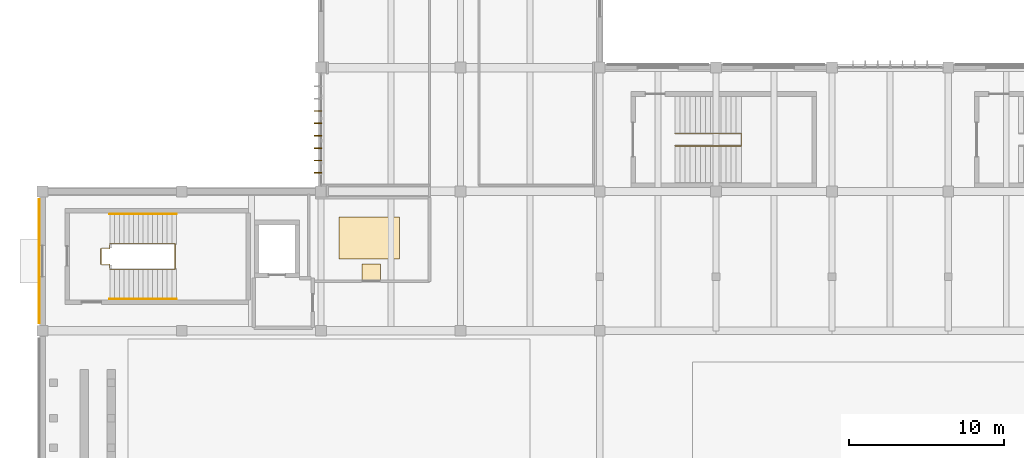
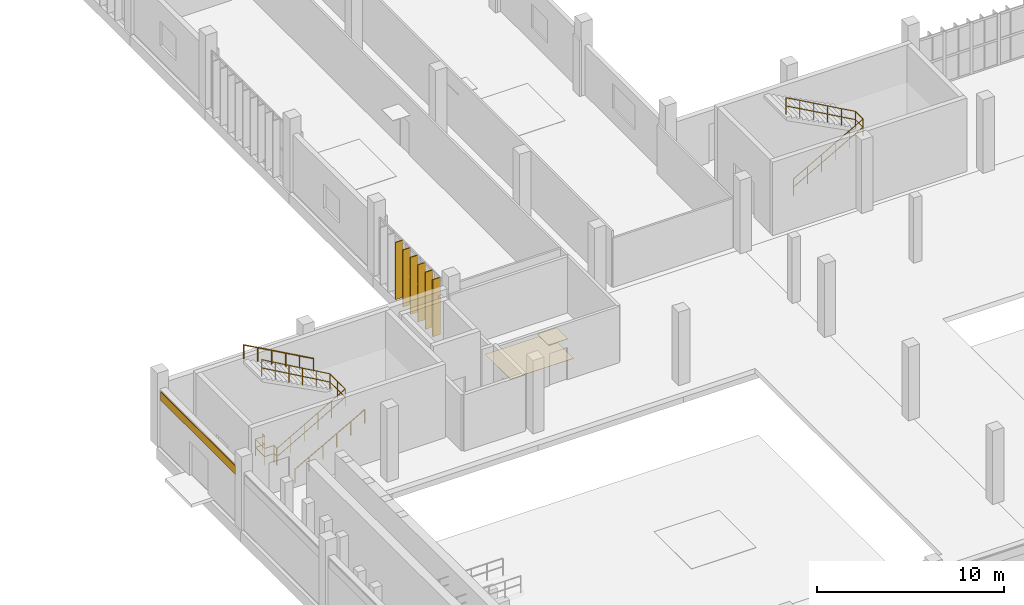
# One storey, part 61 of 72: 6 shading devices, 5 railings, 3 coverings.
"""IFC4 building model written with IfcOpenShell, lengths in metres."""

from ifc_helpers import new_model, si_unit, direction, frame, origin, origin_2d, place, context, subcontext, project, spatial, rectangle, circle, extrude, material, layer, layer_set, material_profile, profile_set, type_object, element, save


model = new_model("IFC4")

# Units and contexts
model_context = context("Model", 3, precision=1e-05, world=origin(), true_north=direction((0.0, 1.0)))
body_context = subcontext(model_context, "Body", "Model", "MODEL_VIEW")
ifc_project = project(units=[si_unit("LENGTHUNIT", "METRE"), si_unit("AREAUNIT", "SQUARE_METRE"), si_unit("VOLUMEUNIT", "CUBIC_METRE"), si_unit("PLANEANGLEUNIT", "RADIAN"), si_unit("MASSUNIT", "GRAM", prefix="KILO")], contexts=[model_context])

# Site, building, storey
site_placement = place(None, origin())
site = spatial("IfcSite", under=ifc_project, at=site_placement, CompositionType="ELEMENT")
building_placement = place(site_placement, origin())
building = spatial("IfcBuilding", under=site, at=building_placement, Name="Vourika Railside Aquatics Centre", CompositionType="ELEMENT")
storey_placement = place(building_placement, origin())
storey = spatial("IfcBuildingStorey", under=building, at=storey_placement, Name="L00", CompositionType="ELEMENT", Elevation=0.0)

# Coverings
ifc_material_1 = material(Name="Perforated moisture-resistant acoustic gypsum ceiling")
ifc_layer_1 = layer(ifc_material_1, 0.02490234375, Name="COV-CEIL-25")
ifc_layer_set_1 = layer_set([ifc_layer_1], Name="Perforated moisture-resistant acoustic gypsum ceiling")
covering_type_1 = type_object("IfcCoveringType", Name="COV-CEIL-25", PredefinedType="CEILING", material=ifc_layer_set_1)
covering_1_placement = place(storey_placement, frame((21.22509765625, 52.719970703125, 2.637451171875), z_axis=(0.0, 0.0, 1.0), x_axis=(1.0, 0.0, 0.0)))
element("IfcCovering", 1, at=covering_1_placement, inside=storey, type_object=covering_type_1, Name="Divers Warm-Up Spa and Poolside Medical Room Acoustic Ceiling Panel", PredefinedType="CEILING", context=body_context, shape_type="SweptSolid", body=[
    extrude(rectangle(XDim=1.199951171875, YDim=1.199951171875, at=origin_2d()), origin(), (0.0, 0.0, 1.0), 0.02490234375),
])
ifc_material_2 = material(Name="Bronze-anodized aluminium rainscreen", Category="aluminium")
ifc_layer_2 = layer(ifc_material_2, 0.044921875, Name="COV-CLAD-45")
ifc_layer_set_2 = layer_set([ifc_layer_2], Name="Bronze-anodized aluminium rainscreen")
covering_type_2 = type_object("IfcCoveringType", Name="COV-CLAD-45", PredefinedType="CLADDING", material=ifc_layer_set_2)
covering_2_placement = place(storey_placement, frame((-0.2099609375, 53.5, 3.10498046875), z_axis=(0.0, 0.0, 1.0), x_axis=(0.0, -1.0, 0.0)))
element("IfcCovering", 2, at=covering_2_placement, inside=storey, type_object=covering_type_2, Name="Perforated Bronze Rainscreen Band CL-012", PredefinedType="CLADDING", context=body_context, shape_type="SweptSolid", body=[
    extrude(rectangle(XDim=8.0, YDim=0.044921875, at=origin_2d()), origin(), (0.0, 0.0, 1.0), 0.550048828125),
])
ifc_material_3 = material(Name="Slip-resistant aqua ceramic sports flooring")
ifc_layer_3 = layer(ifc_material_3, 0.02001953125, Name="COV-FLOR-20")
ifc_layer_set_3 = layer_set([ifc_layer_3], Name="Slip-resistant aqua ceramic sports flooring")
covering_type_3 = type_object("IfcCoveringType", Name="COV-FLOR-20", PredefinedType="FLOORING", material=ifc_layer_set_3)
covering_3_placement = place(storey_placement, frame((21.10009765625, 55.0, 0.0), z_axis=(0.0, 0.0, 1.0), x_axis=(1.0, 0.0, 0.0)))
element("IfcCovering", 3, at=covering_3_placement, inside=storey, type_object=covering_type_3, Name="Divers Warm-Up Spa and Poolside Medical Room Sports Flooring Panel", PredefinedType="FLOORING", context=body_context, shape_type="SweptSolid", body=[
    extrude(rectangle(XDim=3.89990234375, YDim=2.699951171875, at=origin_2d()), origin(), (0.0, 0.0, 1.0), 0.02001953125),
])

# Railings
ifc_material_4 = material(Name="Duplex stainless steel EN 1.4462", Category="steel")
railing_type_1 = type_object("IfcRailingType", Name="RL-HAND-920", PredefinedType="HANDRAIL", material=ifc_material_4)
railing_1_placement = place(storey_placement, frame((4.35009765625, 51.06005859375, 0.0)))
element("IfcRailing", 4, at=railing_1_placement, inside=storey, type_object=railing_type_1, Name="Protected Exit Stair Core ST04 Lower Wall Handrail (L00)", PredefinedType="HANDRAIL", context=body_context, shape_type="SweptSolid", body=[
    extrude(circle(Radius=0.02392578125, at=origin_2d()), frame((0.0, 0.0, 0.89599609375), z_axis=(0.873783640258, 0.0, 0.486314867157), x_axis=(0.0, 1.0, 0.0)), (0.0, 0.0, 1.0), 4.934814453125),
    extrude(circle(Radius=0.02099609375, at=origin_2d()), origin(), (0.0, 0.0, 1.0), 0.871826171875),
    extrude(circle(Radius=0.02099609375, at=origin_2d()), frame((0.8623046875, 0.0, 0.47998046875)), (0.0, 0.0, 1.0), 0.871826171875),
    extrude(circle(Radius=0.02099609375, at=origin_2d()), frame((1.724853515625, 0.0, 0.9599609375)), (0.0, 0.0, 1.0), 0.871826171875),
    extrude(circle(Radius=0.02099609375, at=origin_2d()), frame((2.587158203125, 0.0, 1.43994140625)), (0.0, 0.0, 1.0), 0.871826171875),
    extrude(circle(Radius=0.02099609375, at=origin_2d()), frame((3.44970703125, 0.0, 1.919921875)), (0.0, 0.0, 1.0), 0.871826171875),
    extrude(circle(Radius=0.02099609375, at=origin_2d()), frame((4.31201171875, 0.0, 2.39990234375)), (0.0, 0.0, 1.0), 0.871826171875),
])
railing_2_placement = place(storey_placement, frame((8.662109375, 56.5400390625, 2.39990234375)))
element("IfcRailing", 5, at=railing_2_placement, inside=storey, type_object=railing_type_1, Name="Protected Exit Stair Core ST04 Upper Wall Handrail (L00)", PredefinedType="HANDRAIL", context=body_context, shape_type="SweptSolid", body=[
    extrude(circle(Radius=0.02392578125, at=origin_2d()), frame((0.0, 0.0, 0.89599609375), z_axis=(-0.873762617393, 0.0, 0.486352637956), x_axis=(0.0, -1.0, 0.0)), (0.0, 0.0, 1.0), 4.93505859375),
    extrude(circle(Radius=0.02099609375, at=origin_2d()), origin(), (0.0, 0.0, 1.0), 0.871826171875),
    extrude(circle(Radius=0.02099609375, at=origin_2d()), frame((-0.8623046875, 0.0, 0.47998046875)), (0.0, 0.0, 1.0), 0.871826171875),
    extrude(circle(Radius=0.02099609375, at=origin_2d()), frame((-1.724853515625, 0.0, 0.9599609375)), (0.0, 0.0, 1.0), 0.871826171875),
    extrude(circle(Radius=0.02099609375, at=origin_2d()), frame((-2.587158203125, 0.0, 1.440185546875)), (0.0, 0.0, 1.0), 0.871826171875),
    extrude(circle(Radius=0.02099609375, at=origin_2d()), frame((-3.44970703125, 0.0, 1.920166015625)), (0.0, 0.0, 1.0), 0.871826171875),
    extrude(circle(Radius=0.02099609375, at=origin_2d()), frame((-4.31201171875, 0.0, 2.400146484375)), (0.0, 0.0, 1.0), 0.871826171875),
])
railing_type_2 = type_object("IfcRailingType", Name="RL-STAIR-1120", PredefinedType="BALUSTRADE", material=ifc_material_4)
railing_3_placement = place(storey_placement, frame((4.35009765625, 53.050048828125, 0.0)))
element("IfcRailing", 6, at=railing_3_placement, inside=storey, type_object=railing_type_2, Name="Protected Exit Stair Core ST04 Well Edge Guard (L00)", PredefinedType="BALUSTRADE", context=body_context, shape_type="SweptSolid", body=[
    extrude(circle(Radius=0.02392578125, at=origin_2d()), frame((0.0, 0.0, 1.09619140625), z_axis=(0.0, 1.0, 0.0), x_axis=(-1.0, 0.0, 0.0)), (0.0, 0.0, 1.0), 0.25),
    extrude(circle(Radius=0.02392578125, at=origin_2d()), frame((0.0, 0.0, 0.56005859375), z_axis=(0.0, 1.0, 0.0), x_axis=(-1.0, 0.0, 0.0)), (0.0, 0.0, 1.0), 0.25),
    extrude(circle(Radius=0.02392578125, at=origin_2d()), frame((0.0, 0.25, 1.09619140625), z_axis=(-1.0, 0.0, 0.0), x_axis=(0.0, -1.0, 0.0)), (0.0, 0.0, 1.0), 0.570068359375),
    extrude(circle(Radius=0.02392578125, at=origin_2d()), frame((0.0, 0.25, 0.56005859375), z_axis=(-1.0, 0.0, 0.0), x_axis=(0.0, -1.0, 0.0)), (0.0, 0.0, 1.0), 0.570068359375),
    extrude(circle(Radius=0.02392578125, at=origin_2d()), frame((-0.570068359375, 0.25, 1.09619140625), z_axis=(0.0, 1.0, 0.0), x_axis=(-1.0, 0.0, 0.0)), (0.0, 0.0, 1.0), 1.0),
    extrude(circle(Radius=0.02392578125, at=origin_2d()), frame((-0.570068359375, 0.25, 0.56005859375), z_axis=(0.0, 1.0, 0.0), x_axis=(-1.0, 0.0, 0.0)), (0.0, 0.0, 1.0), 1.0),
    extrude(circle(Radius=0.02392578125, at=origin_2d()), frame((-0.570068359375, 1.25, 1.09619140625), z_axis=(1.0, 0.0, 0.0), x_axis=(0.0, 1.0, 0.0)), (0.0, 0.0, 1.0), 0.570068359375),
    extrude(circle(Radius=0.02392578125, at=origin_2d()), frame((-0.570068359375, 1.25, 0.56005859375), z_axis=(1.0, 0.0, 0.0), x_axis=(0.0, 1.0, 0.0)), (0.0, 0.0, 1.0), 0.570068359375),
    extrude(circle(Radius=0.02392578125, at=origin_2d()), frame((0.0, 1.25, 1.09619140625), z_axis=(0.0, 1.0, 0.0), x_axis=(-1.0, 0.0, 0.0)), (0.0, 0.0, 1.0), 0.25),
    extrude(circle(Radius=0.02392578125, at=origin_2d()), frame((0.0, 1.25, 0.56005859375), z_axis=(0.0, 1.0, 0.0), x_axis=(-1.0, 0.0, 0.0)), (0.0, 0.0, 1.0), 0.25),
    extrude(circle(Radius=0.02099609375, at=origin_2d()), origin(), (0.0, 0.0, 1.0), 1.072021484375),
    extrude(circle(Radius=0.02099609375, at=origin_2d()), frame((0.0, 0.25, 0.0)), (0.0, 0.0, 1.0), 1.072021484375),
    extrude(circle(Radius=0.02099609375, at=origin_2d()), frame((-0.570068359375, 0.25, 0.0)), (0.0, 0.0, 1.0), 1.072021484375),
    extrude(circle(Radius=0.02099609375, at=origin_2d()), frame((-0.570068359375, 1.25, 0.0)), (0.0, 0.0, 1.0), 1.072021484375),
    extrude(circle(Radius=0.02099609375, at=origin_2d()), frame((0.0, 1.25, 0.0)), (0.0, 0.0, 1.0), 1.072021484375),
    extrude(circle(Radius=0.02099609375, at=origin_2d()), frame((0.0, 1.5, 0.0)), (0.0, 0.0, 1.0), 1.072021484375),
])
railing_4_placement = place(storey_placement, frame((4.35009765625, 52.97998046875, 0.0)))
element("IfcRailing", 7, at=railing_4_placement, inside=storey, type_object=railing_type_2, Name="Protected Exit Stair Core ST04 Center Well Guard (L00)", PredefinedType="BALUSTRADE", context=body_context, shape_type="SweptSolid", body=[
    extrude(circle(Radius=0.02392578125, at=origin_2d()), frame((0.0, 0.0, 1.09619140625), z_axis=(0.868856127307, 0.0, 0.495064672584), x_axis=(0.0, 1.0, 0.0)), (0.0, 0.0, 1.0), 4.84765625),
    extrude(circle(Radius=0.02392578125, at=origin_2d()), frame((0.0, 0.0, 0.56005859375), z_axis=(0.868856127307, 0.0, 0.495064672584), x_axis=(0.0, 1.0, 0.0)), (0.0, 0.0, 1.0), 4.84765625),
    extrude(circle(Radius=0.02392578125, at=origin_2d()), frame((4.2119140625, 0.0, 3.49609375), z_axis=(0.0, 1.0, 0.0), x_axis=(-1.0, 0.0, 0.0)), (0.0, 0.0, 1.0), 1.64013671875),
    extrude(circle(Radius=0.02392578125, at=origin_2d()), frame((4.2119140625, 0.0, 2.9599609375), z_axis=(0.0, 1.0, 0.0), x_axis=(-1.0, 0.0, 0.0)), (0.0, 0.0, 1.0), 1.64013671875),
    extrude(circle(Radius=0.02392578125, at=origin_2d()), frame((4.2119140625, 1.64013671875, 3.49609375), z_axis=(-0.868834464034, 0.0, 0.495102690466), x_axis=(0.0, -1.0, 0.0)), (0.0, 0.0, 1.0), 4.84765625),
    extrude(circle(Radius=0.02392578125, at=origin_2d()), frame((4.2119140625, 1.64013671875, 2.9599609375), z_axis=(-0.868834464034, 0.0, 0.495102690466), x_axis=(0.0, -1.0, 0.0)), (0.0, 0.0, 1.0), 4.84765625),
    extrude(circle(Radius=0.02099609375, at=origin_2d()), origin(), (0.0, 0.0, 1.0), 1.072021484375),
    extrude(circle(Radius=0.02099609375, at=origin_2d()), frame((0.84228515625, 0.0, 0.47998046875)), (0.0, 0.0, 1.0), 1.072021484375),
    extrude(circle(Radius=0.02099609375, at=origin_2d()), frame((1.684814453125, 0.0, 0.9599609375)), (0.0, 0.0, 1.0), 1.072021484375),
    extrude(circle(Radius=0.02099609375, at=origin_2d()), frame((2.527099609375, 0.0, 1.43994140625)), (0.0, 0.0, 1.0), 1.072021484375),
    extrude(circle(Radius=0.02099609375, at=origin_2d()), frame((3.36962890625, 0.0, 1.919921875)), (0.0, 0.0, 1.0), 1.072021484375),
    extrude(circle(Radius=0.02099609375, at=origin_2d()), frame((4.2119140625, 0.0, 2.39990234375)), (0.0, 0.0, 1.0), 1.072021484375),
    extrude(circle(Radius=0.02099609375, at=origin_2d()), frame((4.2119140625, 0.820068359375, 2.39990234375)), (0.0, 0.0, 1.0), 1.072021484375),
    extrude(circle(Radius=0.02099609375, at=origin_2d()), frame((4.2119140625, 1.64013671875, 2.39990234375)), (0.0, 0.0, 1.0), 1.072021484375),
    extrude(circle(Radius=0.02099609375, at=origin_2d()), frame((3.36962890625, 1.64013671875, 2.8798828125)), (0.0, 0.0, 1.0), 1.072021484375),
    extrude(circle(Radius=0.02099609375, at=origin_2d()), frame((2.527099609375, 1.64013671875, 3.35986328125)), (0.0, 0.0, 1.0), 1.072021484375),
    extrude(circle(Radius=0.02099609375, at=origin_2d()), frame((1.684814453125, 1.64013671875, 3.840087890625)), (0.0, 0.0, 1.0), 1.072021484375),
    extrude(circle(Radius=0.02099609375, at=origin_2d()), frame((0.84228515625, 1.64013671875, 4.320068359375)), (0.0, 0.0, 1.0), 1.072021484375),
    extrude(circle(Radius=0.02099609375, at=origin_2d()), frame((0.0, 1.64013671875, 4.800048828125)), (0.0, 0.0, 1.0), 1.072021484375),
])
railing_5_placement = place(storey_placement, frame((40.85009765625, 60.93994140625, 0.0)))
element("IfcRailing", 8, at=railing_5_placement, inside=storey, type_object=railing_type_2, Name="Grandstand Vomitory Exit Stair ST07 Center Well Guard (L00)", PredefinedType="BALUSTRADE", context=body_context, shape_type="SweptSolid", body=[
    extrude(circle(Radius=0.02392578125, at=origin_2d()), frame((0.0, 0.0, 1.09619140625), z_axis=(0.872712594599, 0.0, 0.488234295425), x_axis=(0.0, 1.0, 0.0)), (0.0, 0.0, 1.0), 4.91552734375),
    extrude(circle(Radius=0.02392578125, at=origin_2d()), frame((0.0, 0.0, 0.56005859375), z_axis=(0.872712594599, 0.0, 0.488234295425), x_axis=(0.0, 1.0, 0.0)), (0.0, 0.0, 1.0), 4.91552734375),
    extrude(circle(Radius=0.02392578125, at=origin_2d()), frame((4.289794921875, 0.0, 3.49609375), z_axis=(0.0, 1.0, 0.0), x_axis=(-1.0, 0.0, 0.0)), (0.0, 0.0, 1.0), 0.820068359375),
    extrude(circle(Radius=0.02392578125, at=origin_2d()), frame((4.289794921875, 0.0, 2.9599609375), z_axis=(0.0, 1.0, 0.0), x_axis=(-1.0, 0.0, 0.0)), (0.0, 0.0, 1.0), 0.820068359375),
    extrude(circle(Radius=0.02392578125, at=origin_2d()), frame((4.289794921875, 0.820068359375, 3.49609375), z_axis=(-0.872691431435, 0.0, 0.488272122386), x_axis=(0.0, -1.0, 0.0)), (0.0, 0.0, 1.0), 4.91552734375),
    extrude(circle(Radius=0.02392578125, at=origin_2d()), frame((4.289794921875, 0.820068359375, 2.9599609375), z_axis=(-0.872691431435, 0.0, 0.488272122386), x_axis=(0.0, -1.0, 0.0)), (0.0, 0.0, 1.0), 4.91552734375),
    extrude(circle(Radius=0.02099609375, at=origin_2d()), origin(), (0.0, 0.0, 1.0), 1.072021484375),
    extrude(circle(Radius=0.02099609375, at=origin_2d()), frame((0.85791015625, 0.0, 0.47998046875)), (0.0, 0.0, 1.0), 1.072021484375),
    extrude(circle(Radius=0.02099609375, at=origin_2d()), frame((1.7158203125, 0.0, 0.9599609375)), (0.0, 0.0, 1.0), 1.072021484375),
    extrude(circle(Radius=0.02099609375, at=origin_2d()), frame((2.573974609375, 0.0, 1.43994140625)), (0.0, 0.0, 1.0), 1.072021484375),
    extrude(circle(Radius=0.02099609375, at=origin_2d()), frame((3.431884765625, 0.0, 1.919921875)), (0.0, 0.0, 1.0), 1.072021484375),
    extrude(circle(Radius=0.02099609375, at=origin_2d()), frame((4.289794921875, 0.0, 2.39990234375)), (0.0, 0.0, 1.0), 1.072021484375),
    extrude(circle(Radius=0.02099609375, at=origin_2d()), frame((4.289794921875, 0.820068359375, 2.39990234375)), (0.0, 0.0, 1.0), 1.072021484375),
    extrude(circle(Radius=0.02099609375, at=origin_2d()), frame((3.431884765625, 0.820068359375, 2.8798828125)), (0.0, 0.0, 1.0), 1.072021484375),
    extrude(circle(Radius=0.02099609375, at=origin_2d()), frame((2.573974609375, 0.820068359375, 3.35986328125)), (0.0, 0.0, 1.0), 1.072021484375),
    extrude(circle(Radius=0.02099609375, at=origin_2d()), frame((1.7158203125, 0.820068359375, 3.840087890625)), (0.0, 0.0, 1.0), 1.072021484375),
    extrude(circle(Radius=0.02099609375, at=origin_2d()), frame((0.85791015625, 0.820068359375, 4.320068359375)), (0.0, 0.0, 1.0), 1.072021484375),
    extrude(circle(Radius=0.02099609375, at=origin_2d()), frame((0.0, 0.820068359375, 4.800048828125)), (0.0, 0.0, 1.0), 1.072021484375),
])

# Shading devices
ifc_material_5 = material(Name="Bronze-anodized extruded aluminium", Category="aluminium")
ifc_material_profile = material_profile(ifc_material_5, rectangle(XDim=0.06005859375, YDim=0.47998046875, at=origin_2d()), Name="ALU-FIN 60x480")
ifc_profile_set = profile_set([ifc_material_profile], Name="Bronze-anodized extruded aluminium")
shading_device_type = type_object("IfcShadingDeviceType", Name="SHD-FIN-F48A", PredefinedType="USERDEFINED", material=ifc_profile_set)
for number, where, z_axis, x_axis, name in (
    (9, (17.784912109375, 59.199951171875, 0.0), (0.0, 0.0, 1.0), (0.0, 1.0, 0.0), "Vertical Solar Fin VSF-0691"),
    (10, (17.784912109375, 60.0, 0.0), (0.0, 0.0, 1.0), (0.0, 1.0, 0.0), "Vertical Solar Fin VSF-0692"),
    (11, (17.784912109375, 60.800048828125, 0.0), (0.0, 0.0, 1.0), (0.0, 1.0, 0.0), "Vertical Solar Fin VSF-0693"),
    (12, (17.784912109375, 61.60009765625, 0.0), (0.0, 0.0, 1.0), (0.0, 1.0, 0.0), "Vertical Solar Fin VSF-0694"),
    (13, (17.784912109375, 62.39990234375, 0.0), (0.0, 0.0, 1.0), (0.0, 1.0, 0.0), "Vertical Solar Fin VSF-0695"),
    (14, (17.784912109375, 63.199951171875, 0.0), (0.0, 0.0, 1.0), (0.0, 1.0, 0.0), "Vertical Solar Fin VSF-0696"),
):
    element("IfcShadingDevice", number, at=place(storey_placement, frame(where, z_axis=z_axis, x_axis=x_axis)), inside=storey, type_object=shading_device_type, Name=name, ObjectType="FIN", PredefinedType="USERDEFINED", context=body_context, shape_type="SweptSolid", body=[
        extrude(rectangle(XDim=0.06005859375, YDim=0.47998046875, at=origin_2d()), origin(), (0.0, 0.0, 1.0), 3.72998046875),
    ])

save(model, "model.ifc")
